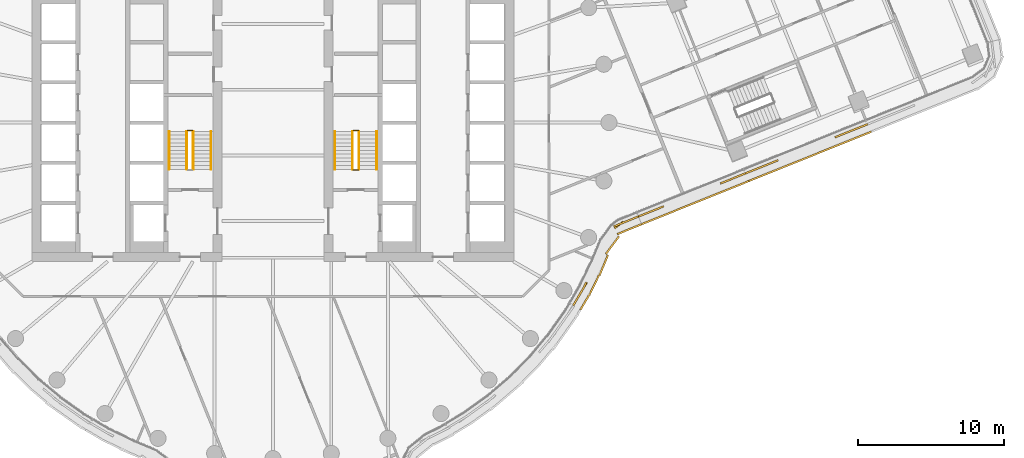
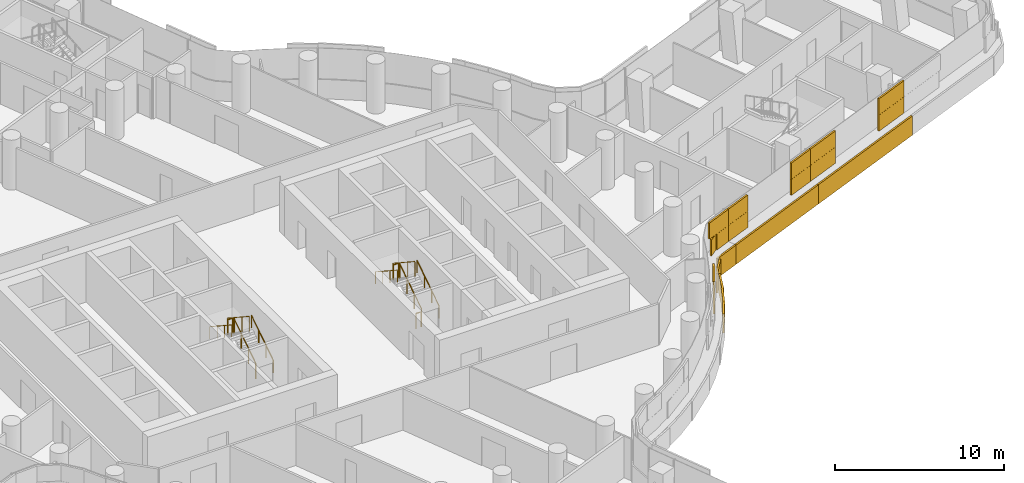
# One storey, part 29 of 32: 11 railings, 3 coverings.
"""IFC4 building model written with IfcOpenShell, lengths in metres."""

from ifc_helpers import new_model, si_unit, direction, frame, origin, origin_2d, place, context, subcontext, project, spatial, rectangle, circle, extrude, material, layer, layer_set, type_object, element, save


model = new_model("IFC4")

# Units and contexts
model_context = context("Model", 3, precision=1e-05, world=origin(), true_north=direction((0.0, 1.0)))
body_context = subcontext(model_context, "Body", "Model", "MODEL_VIEW")
ifc_project = project(units=[si_unit("LENGTHUNIT", "METRE"), si_unit("AREAUNIT", "SQUARE_METRE"), si_unit("VOLUMEUNIT", "CUBIC_METRE"), si_unit("PLANEANGLEUNIT", "RADIAN"), si_unit("MASSUNIT", "GRAM", prefix="KILO")], contexts=[model_context])

# Site, building, storey
site_placement = place(None, origin())
site = spatial("IfcSite", under=ifc_project, at=site_placement, CompositionType="ELEMENT")
building_placement = place(site_placement, origin())
building = spatial("IfcBuilding", under=site, at=building_placement, Name="Tamarind Cross Interchange Tower", CompositionType="ELEMENT")
storey_placement = place(building_placement, frame((0.0, 0.0, 113.5)))
storey = spatial("IfcBuildingStorey", under=building, at=storey_placement, Name="L27", CompositionType="ELEMENT", Elevation=113.5)

# Railings
ifc_material_1 = material(Name="Stair guard")
railing_type_1 = type_object("IfcRailingType", Name="Stair guard", PredefinedType="GUARDRAIL", material=ifc_material_1)
railing_1_placement = place(storey_placement, frame((-5.449951171875, -3.199951171875, 0.17041015625)))
element("IfcRailing", 1, at=railing_1_placement, inside=storey, type_object=railing_type_1, Name="L27 ST1 stair guard 1", PredefinedType="GUARDRAIL", context=body_context, shape_type="SweptSolid", body=[
    extrude(circle(Radius=0.02392578125, at=origin_2d()), frame((0.0, 0.0, 1.076171875), z_axis=(0.0, 0.836278606002, 0.548304744775), x_axis=(-1.0, 0.0, 0.0)), (0.0, 0.0, 1.0), 3.10888671875),
    extrude(circle(Radius=0.02099609375, at=origin_2d()), origin(), (0.0, 0.0, 1.0), 1.052001953125),
    extrude(circle(Radius=0.02099609375, at=origin_2d()), frame((0.0, 0.86669921875, 0.568115234375)), (0.0, 0.0, 1.0), 1.052001953125),
    extrude(circle(Radius=0.02099609375, at=origin_2d()), frame((0.0, 1.733154296875, 1.136474609375)), (0.0, 0.0, 1.0), 1.052001953125),
    extrude(circle(Radius=0.02099609375, at=origin_2d()), frame((0.0, 2.599853515625, 1.70458984375)), (0.0, 0.0, 1.0), 1.052001953125),
])
railing_2_placement = place(storey_placement, frame((-5.5, -0.550048828125, 1.875)))
element("IfcRailing", 2, at=railing_2_placement, inside=storey, type_object=railing_type_1, Name="L27 ST1 stair guard 2", PredefinedType="GUARDRAIL", context=body_context, shape_type="SweptSolid", body=[
    extrude(circle(Radius=0.02392578125, at=origin_2d()), frame((0.0, 0.0, 1.076171875), z_axis=(-1.0, 0.0, 0.0), x_axis=(0.0, -1.0, 0.0)), (0.0, 0.0, 1.0), 0.35009765625),
    extrude(circle(Radius=0.02099609375, at=origin_2d()), origin(), (0.0, 0.0, 1.0), 1.052001953125),
    extrude(circle(Radius=0.02099609375, at=origin_2d()), frame((-0.35009765625, 0.0, 0.0)), (0.0, 0.0, 1.0), 1.052001953125),
])
railing_3_placement = place(storey_placement, frame((-5.89990234375, -0.60009765625, 2.04541015625)))
element("IfcRailing", 3, at=railing_3_placement, inside=storey, type_object=railing_type_1, Name="L27 ST1 stair guard 3", PredefinedType="GUARDRAIL", context=body_context, shape_type="SweptSolid", body=[
    extrude(circle(Radius=0.02392578125, at=origin_2d()), frame((0.0, 0.0, 1.076171875), z_axis=(0.0, -0.836278606002, 0.548304744775), x_axis=(1.0, 0.0, 0.0)), (0.0, 0.0, 1.0), 3.10888671875),
    extrude(circle(Radius=0.02099609375, at=origin_2d()), origin(), (0.0, 0.0, 1.0), 1.052001953125),
    extrude(circle(Radius=0.02099609375, at=origin_2d()), frame((0.0, -0.86669921875, 0.568115234375)), (0.0, 0.0, 1.0), 1.052001953125),
    extrude(circle(Radius=0.02099609375, at=origin_2d()), frame((0.0, -1.733154296875, 1.136474609375)), (0.0, 0.0, 1.0), 1.052001953125),
    extrude(circle(Radius=0.02099609375, at=origin_2d()), frame((0.0, -2.599853515625, 1.70458984375)), (0.0, 0.0, 1.0), 1.052001953125),
])
railing_4_placement = place(storey_placement, frame((5.89990234375, -3.199951171875, 0.17041015625)))
element("IfcRailing", 4, at=railing_4_placement, inside=storey, type_object=railing_type_1, Name="L27 ST2 stair guard 1", PredefinedType="GUARDRAIL", context=body_context, shape_type="SweptSolid", body=[
    extrude(circle(Radius=0.02392578125, at=origin_2d()), frame((0.0, 0.0, 1.076171875), z_axis=(0.0, 0.836278606002, 0.548304744775), x_axis=(-1.0, 0.0, 0.0)), (0.0, 0.0, 1.0), 3.10888671875),
    extrude(circle(Radius=0.02099609375, at=origin_2d()), origin(), (0.0, 0.0, 1.0), 1.052001953125),
    extrude(circle(Radius=0.02099609375, at=origin_2d()), frame((0.0, 0.86669921875, 0.568115234375)), (0.0, 0.0, 1.0), 1.052001953125),
    extrude(circle(Radius=0.02099609375, at=origin_2d()), frame((0.0, 1.733154296875, 1.136474609375)), (0.0, 0.0, 1.0), 1.052001953125),
    extrude(circle(Radius=0.02099609375, at=origin_2d()), frame((0.0, 2.599853515625, 1.70458984375)), (0.0, 0.0, 1.0), 1.052001953125),
])
railing_5_placement = place(storey_placement, frame((5.85009765625, -0.550048828125, 1.875)))
element("IfcRailing", 5, at=railing_5_placement, inside=storey, type_object=railing_type_1, Name="L27 ST2 stair guard 2", PredefinedType="GUARDRAIL", context=body_context, shape_type="SweptSolid", body=[
    extrude(circle(Radius=0.02392578125, at=origin_2d()), frame((0.0, 0.0, 1.076171875), z_axis=(-1.0, 0.0, 0.0), x_axis=(0.0, -1.0, 0.0)), (0.0, 0.0, 1.0), 0.35009765625),
    extrude(circle(Radius=0.02099609375, at=origin_2d()), origin(), (0.0, 0.0, 1.0), 1.052001953125),
    extrude(circle(Radius=0.02099609375, at=origin_2d()), frame((-0.35009765625, 0.0, 0.0)), (0.0, 0.0, 1.0), 1.052001953125),
])
railing_6_placement = place(storey_placement, frame((5.449951171875, -0.60009765625, 2.04541015625)))
element("IfcRailing", 6, at=railing_6_placement, inside=storey, type_object=railing_type_1, Name="L27 ST2 stair guard 3", PredefinedType="GUARDRAIL", context=body_context, shape_type="SweptSolid", body=[
    extrude(circle(Radius=0.02392578125, at=origin_2d()), frame((0.0, 0.0, 1.076171875), z_axis=(0.0, -0.836278606002, 0.548304744775), x_axis=(1.0, 0.0, 0.0)), (0.0, 0.0, 1.0), 3.10888671875),
    extrude(circle(Radius=0.02099609375, at=origin_2d()), origin(), (0.0, 0.0, 1.0), 1.052001953125),
    extrude(circle(Radius=0.02099609375, at=origin_2d()), frame((0.0, -0.86669921875, 0.568115234375)), (0.0, 0.0, 1.0), 1.052001953125),
    extrude(circle(Radius=0.02099609375, at=origin_2d()), frame((0.0, -1.733154296875, 1.136474609375)), (0.0, 0.0, 1.0), 1.052001953125),
    extrude(circle(Radius=0.02099609375, at=origin_2d()), frame((0.0, -2.599853515625, 1.70458984375)), (0.0, 0.0, 1.0), 1.052001953125),
])
railing_7_placement = place(storey_placement, frame((5.85009765625, -3.25, 0.0)))
element("IfcRailing", 7, at=railing_7_placement, inside=storey, type_object=railing_type_1, Name="L27 ST2 stair guard 4", PredefinedType="GUARDRAIL", context=body_context, shape_type="SweptSolid", body=[
    extrude(circle(Radius=0.02392578125, at=origin_2d()), frame((0.0, 0.0, 1.076171875), z_axis=(-1.0, 0.0, 0.0), x_axis=(0.0, -1.0, 0.0)), (0.0, 0.0, 1.0), 0.35009765625),
    extrude(circle(Radius=0.02099609375, at=origin_2d()), origin(), (0.0, 0.0, 1.0), 1.052001953125),
    extrude(circle(Radius=0.02099609375, at=origin_2d()), frame((-0.35009765625, 0.0, 0.0)), (0.0, 0.0, 1.0), 1.052001953125),
])
ifc_material_2 = material(Name="Stair handrail")
railing_type_2 = type_object("IfcRailingType", Name="Stair handrail", PredefinedType="HANDRAIL", material=ifc_material_2)
railing_8_placement = place(storey_placement, frame((-4.25, -3.199951171875, 0.17041015625)))
element("IfcRailing", 8, at=railing_8_placement, inside=storey, type_object=railing_type_2, Name="L27 ST1 stair handrail 1", PredefinedType="HANDRAIL", context=body_context, shape_type="SweptSolid", body=[
    extrude(circle(Radius=0.02392578125, at=origin_2d()), frame((0.0, 0.0, 0.8759765625), z_axis=(0.0, 0.836278606002, 0.548304744775), x_axis=(-1.0, 0.0, 0.0)), (0.0, 0.0, 1.0), 3.10888671875),
    extrude(circle(Radius=0.02099609375, at=origin_2d()), origin(), (0.0, 0.0, 1.0), 0.851806640625),
    extrude(circle(Radius=0.02099609375, at=origin_2d()), frame((0.0, 0.86669921875, 0.568115234375)), (0.0, 0.0, 1.0), 0.851806640625),
    extrude(circle(Radius=0.02099609375, at=origin_2d()), frame((0.0, 1.733154296875, 1.136474609375)), (0.0, 0.0, 1.0), 0.851806640625),
    extrude(circle(Radius=0.02099609375, at=origin_2d()), frame((0.0, 2.599853515625, 1.70458984375)), (0.0, 0.0, 1.0), 0.851806640625),
])
railing_9_placement = place(storey_placement, frame((-7.10009765625, -0.60009765625, 2.04541015625)))
element("IfcRailing", 9, at=railing_9_placement, inside=storey, type_object=railing_type_2, Name="L27 ST1 stair handrail 2", PredefinedType="HANDRAIL", context=body_context, shape_type="SweptSolid", body=[
    extrude(circle(Radius=0.02392578125, at=origin_2d()), frame((0.0, 0.0, 0.8759765625), z_axis=(0.0, -0.836278606002, 0.548304744775), x_axis=(1.0, 0.0, 0.0)), (0.0, 0.0, 1.0), 3.10888671875),
    extrude(circle(Radius=0.02099609375, at=origin_2d()), origin(), (0.0, 0.0, 1.0), 0.851806640625),
    extrude(circle(Radius=0.02099609375, at=origin_2d()), frame((0.0, -0.86669921875, 0.568115234375)), (0.0, 0.0, 1.0), 0.851806640625),
    extrude(circle(Radius=0.02099609375, at=origin_2d()), frame((0.0, -1.733154296875, 1.136474609375)), (0.0, 0.0, 1.0), 0.851806640625),
    extrude(circle(Radius=0.02099609375, at=origin_2d()), frame((0.0, -2.599853515625, 1.70458984375)), (0.0, 0.0, 1.0), 0.851806640625),
])
railing_10_placement = place(storey_placement, frame((7.10009765625, -3.199951171875, 0.17041015625)))
element("IfcRailing", 10, at=railing_10_placement, inside=storey, type_object=railing_type_2, Name="L27 ST2 stair handrail 1", PredefinedType="HANDRAIL", context=body_context, shape_type="SweptSolid", body=[
    extrude(circle(Radius=0.02392578125, at=origin_2d()), frame((0.0, 0.0, 0.8759765625), z_axis=(0.0, 0.836278606002, 0.548304744775), x_axis=(-1.0, 0.0, 0.0)), (0.0, 0.0, 1.0), 3.10888671875),
    extrude(circle(Radius=0.02099609375, at=origin_2d()), origin(), (0.0, 0.0, 1.0), 0.851806640625),
    extrude(circle(Radius=0.02099609375, at=origin_2d()), frame((0.0, 0.86669921875, 0.568115234375)), (0.0, 0.0, 1.0), 0.851806640625),
    extrude(circle(Radius=0.02099609375, at=origin_2d()), frame((0.0, 1.733154296875, 1.136474609375)), (0.0, 0.0, 1.0), 0.851806640625),
    extrude(circle(Radius=0.02099609375, at=origin_2d()), frame((0.0, 2.599853515625, 1.70458984375)), (0.0, 0.0, 1.0), 0.851806640625),
])
railing_11_placement = place(storey_placement, frame((4.25, -0.60009765625, 2.04541015625)))
element("IfcRailing", 11, at=railing_11_placement, inside=storey, type_object=railing_type_2, Name="L27 ST2 stair handrail 2", PredefinedType="HANDRAIL", context=body_context, shape_type="SweptSolid", body=[
    extrude(circle(Radius=0.02392578125, at=origin_2d()), frame((0.0, 0.0, 0.8759765625), z_axis=(0.0, -0.836278606002, 0.548304744775), x_axis=(1.0, 0.0, 0.0)), (0.0, 0.0, 1.0), 3.10888671875),
    extrude(circle(Radius=0.02099609375, at=origin_2d()), origin(), (0.0, 0.0, 1.0), 0.851806640625),
    extrude(circle(Radius=0.02099609375, at=origin_2d()), frame((0.0, -0.86669921875, 0.568115234375)), (0.0, 0.0, 1.0), 0.851806640625),
    extrude(circle(Radius=0.02099609375, at=origin_2d()), frame((0.0, -1.733154296875, 1.136474609375)), (0.0, 0.0, 1.0), 0.851806640625),
    extrude(circle(Radius=0.02099609375, at=origin_2d()), frame((0.0, -2.599853515625, 1.70458984375)), (0.0, 0.0, 1.0), 0.851806640625),
])

# Coverings
ifc_material_3 = material(Name="Terracotta", Category="masonry")
ifc_layer = layer(ifc_material_3, 0.1201171875)
ifc_layer_set = layer_set([ifc_layer], Name="Terracotta")
covering_type = type_object("IfcCoveringType", Name="Terracotta baguette screen unit", PredefinedType="MOLDING", material=ifc_layer_set)
covering_1_placement = place(storey_placement, origin())
element("IfcCovering", 12, at=covering_1_placement, inside=storey, type_object=covering_type, Name="SCR-L27-06-01", PredefinedType="MOLDING", context=body_context, shape_type="SweptSolid", body=[
    extrude(rectangle(XDim=0.75146484375, YDim=0.1201171875, at=origin_2d()), frame((20.745361328125, -12.197265625, 1.404052734375), z_axis=(0.0, 0.0, 1.0), x_axis=(0.508183308752, 0.861248933065, 0.0)), (0.0, 0.0, 1.0), 1.1669921875),
    extrude(rectangle(XDim=1.095703125, YDim=0.1201171875, at=origin_2d()), frame((21.209716796875, -11.410400390625, 1.404052734375), z_axis=(0.0, 0.0, 1.0), x_axis=(0.508183308752, 0.861248933065, 0.0)), (0.0, 0.0, 1.0), 1.1669921875),
    extrude(rectangle(XDim=0.72412109375, YDim=0.1201171875, at=origin_2d()), frame((23.678955078125, -7.0087890625, 1.404052734375), z_axis=(0.0, 0.0, 1.0), x_axis=(0.790021221681, 0.613079496716, 0.0)), (0.0, 0.0, 1.0), 1.1669921875),
    extrude(rectangle(XDim=1.123046875, YDim=0.1201171875, at=origin_2d()), frame((24.508056640625, -6.635009765625, 1.404052734375), z_axis=(0.0, 0.0, 1.0), x_axis=(0.926429596156, 0.376468064205, 0.0)), (0.0, 0.0, 1.0), 1.1669921875),
    extrude(rectangle(XDim=1.50146484375, YDim=0.1201171875, at=origin_2d()), frame((20.93603515625, -11.874267578125, 2.5791015625), z_axis=(0.0, 0.0, 1.0), x_axis=(0.508183308752, 0.861248933065, 0.0)), (0.0, 0.0, 1.0), 1.1669921875),
    extrude(rectangle(XDim=0.345703125, YDim=0.1201171875, at=origin_2d()), frame((21.376220703125, -11.074462890625, 2.5791015625), z_axis=(0.0, 0.0, 1.0), x_axis=(0.435326231914, 0.900272776334, 0.0)), (0.0, 0.0, 1.0), 1.1669921875),
    extrude(rectangle(XDim=1.47412109375, YDim=0.1201171875, at=origin_2d()), frame((24.00927734375, -6.837890625, 2.5791015625), z_axis=(0.0, 0.0, 1.0), x_axis=(0.926429596156, 0.376468064205, 0.0)), (0.0, 0.0, 1.0), 1.1669921875),
    extrude(rectangle(XDim=0.373046875, YDim=0.1201171875, at=origin_2d()), frame((24.85546875, -6.493896484375, 2.5791015625), z_axis=(0.0, 0.0, 1.0), x_axis=(0.926429596156, 0.376468064205, 0.0)), (0.0, 0.0, 1.0), 1.1669921875),
    extrude(rectangle(XDim=1.202880859375, YDim=0.1201171875, at=origin_2d()), frame((21.35302734375, -12.297119140625, 0.00390625), z_axis=(0.0, 0.0, 1.0), x_axis=(0.508183308752, 0.861248933065, 0.0)), (0.0, 0.0, 1.0), 1.39208984375),
    extrude(rectangle(XDim=1.52001953125, YDim=0.1201171875, at=origin_2d()), frame((21.9921875, -11.119140625, 0.00390625), z_axis=(0.0, 0.0, 1.0), x_axis=(0.435326231914, 0.900272776334, 0.0)), (0.0, 0.0, 1.0), 1.39208984375),
    extrude(rectangle(XDim=1.52001953125, YDim=0.1201171875, at=origin_2d()), frame((22.642578125, -9.767578125, 0.00390625), z_axis=(0.0, 0.0, 1.0), x_axis=(0.385196464244, 0.92283459186, 0.0)), (0.0, 0.0, 1.0), 1.39208984375),
    extrude(rectangle(XDim=1.52001953125, YDim=0.1201171875, at=origin_2d()), frame((23.23779296875, -8.393310546875, 0.00390625), z_axis=(0.0, 0.0, 1.0), x_axis=(0.59834756437, 0.801236664296, 0.0)), (0.0, 0.0, 1.0), 1.39208984375),
    extrude(rectangle(XDim=1.52001953125, YDim=0.1201171875, at=origin_2d()), frame((24.273681640625, -7.349853515625, 0.00390625), z_axis=(0.0, 0.0, 1.0), x_axis=(0.926429596156, 0.376468064205, 0.0)), (0.0, 0.0, 1.0), 1.39208984375),
    extrude(rectangle(XDim=0.302001953125, YDim=0.1201171875, at=origin_2d()), frame((25.09912109375, -7.0146484375, 0.00390625), z_axis=(0.0, 0.0, 1.0), x_axis=(0.926429596156, 0.376468064205, 0.0)), (0.0, 0.0, 1.0), 1.39208984375),
])
covering_2_placement = place(storey_placement, origin())
element("IfcCovering", 13, at=covering_2_placement, inside=storey, type_object=covering_type, Name="SCR-L27-07-00", PredefinedType="MOLDING", context=body_context, shape_type="SweptSolid", body=[
    extrude(rectangle(XDim=0.760009765625, YDim=0.1201171875, at=origin_2d()), frame((25.37158203125, -6.285400390625, 1.404052734375), z_axis=(0.0, 0.0, 1.0), x_axis=(0.927570416192, 0.373648394893, 0.0)), (0.0, 0.0, 1.0), 1.1669921875),
    extrude(rectangle(XDim=1.110107421875, YDim=0.1201171875, at=origin_2d()), frame((26.2294921875, -5.93994140625, 1.404052734375), z_axis=(0.0, 0.0, 1.0), x_axis=(0.927570416192, 0.373648394893, 0.0)), (0.0, 0.0, 1.0), 1.1669921875),
    extrude(rectangle(XDim=0.7099609375, YDim=0.1201171875, at=origin_2d()), frame((30.960205078125, -4.0341796875, 1.404052734375), z_axis=(0.0, 0.0, 1.0), x_axis=(0.927570416192, 0.373648394893, 0.0)), (0.0, 0.0, 1.0), 1.1669921875),
    extrude(rectangle(XDim=1.159912109375, YDim=0.1201171875, at=origin_2d()), frame((31.818115234375, -3.688720703125, 1.404052734375), z_axis=(0.0, 0.0, 1.0), x_axis=(0.927570416192, 0.373648394893, 0.0)), (0.0, 0.0, 1.0), 1.1669921875),
    extrude(rectangle(XDim=1.510009765625, YDim=0.1201171875, at=origin_2d()), frame((25.719482421875, -6.145263671875, 2.5791015625), z_axis=(0.0, 0.0, 1.0), x_axis=(0.927570416192, 0.373648394893, 0.0)), (0.0, 0.0, 1.0), 1.1669921875),
    extrude(rectangle(XDim=0.360107421875, YDim=0.1201171875, at=origin_2d()), frame((26.577392578125, -5.7998046875, 2.5791015625), z_axis=(0.0, 0.0, 1.0), x_axis=(0.927570416192, 0.373648394893, 0.0)), (0.0, 0.0, 1.0), 1.1669921875),
    extrude(rectangle(XDim=1.4599609375, YDim=0.1201171875, at=origin_2d()), frame((31.30810546875, -3.89404296875, 2.5791015625), z_axis=(0.0, 0.0, 1.0), x_axis=(0.927570416192, 0.373648394893, 0.0)), (0.0, 0.0, 1.0), 1.1669921875),
    extrude(rectangle(XDim=0.409912109375, YDim=0.1201171875, at=origin_2d()), frame((32.166015625, -3.548583984375, 2.5791015625), z_axis=(0.0, 0.0, 1.0), x_axis=(0.927570416192, 0.373648394893, 0.0)), (0.0, 0.0, 1.0), 1.1669921875),
    extrude(rectangle(XDim=0.760009765625, YDim=0.1201171875, at=origin_2d()), frame((25.591552734375, -6.815673828125, 0.00390625), z_axis=(0.0, 0.0, 1.0), x_axis=(0.927570416192, 0.373648394893, 0.0)), (0.0, 0.0, 1.0), 1.39208984375),
    extrude(rectangle(XDim=1.52001953125, YDim=0.1201171875, at=origin_2d()), frame((26.63037109375, -6.397216796875, 0.00390625), z_axis=(0.0, 0.0, 1.0), x_axis=(0.927570416192, 0.373648394893, 0.0)), (0.0, 0.0, 1.0), 1.39208984375),
    extrude(rectangle(XDim=1.52001953125, YDim=0.1201171875, at=origin_2d()), frame((28.021728515625, -5.836669921875, 0.00390625), z_axis=(0.0, 0.0, 1.0), x_axis=(0.927570416192, 0.373648394893, 0.0)), (0.0, 0.0, 1.0), 1.39208984375),
    extrude(rectangle(XDim=1.52001953125, YDim=0.1201171875, at=origin_2d()), frame((29.4130859375, -5.2763671875, 0.00390625), z_axis=(0.0, 0.0, 1.0), x_axis=(0.927570416192, 0.373648394893, 0.0)), (0.0, 0.0, 1.0), 1.39208984375),
    extrude(rectangle(XDim=1.52001953125, YDim=0.1201171875, at=origin_2d()), frame((30.804443359375, -4.7158203125, 0.00390625), z_axis=(0.0, 0.0, 1.0), x_axis=(0.927570416192, 0.373648394893, 0.0)), (0.0, 0.0, 1.0), 1.39208984375),
    extrude(rectangle(XDim=1.183837890625, YDim=0.1201171875, at=origin_2d()), frame((32.039794921875, -4.218017578125, 0.00390625), z_axis=(0.0, 0.0, 1.0), x_axis=(0.927570416192, 0.373648394893, 0.0)), (0.0, 0.0, 1.0), 1.39208984375),
])
covering_3_placement = place(storey_placement, origin())
element("IfcCovering", 14, at=covering_3_placement, inside=storey, type_object=covering_type, Name="SCR-L27-07-01", PredefinedType="MOLDING", context=body_context, shape_type="SweptSolid", body=[
    extrude(rectangle(XDim=0.35986328125, YDim=0.1201171875, at=origin_2d()), frame((32.513916015625, -3.408447265625, 1.404052734375), z_axis=(0.0, 0.0, 1.0), x_axis=(0.927570416192, 0.373648394893, 0.0)), (0.0, 0.0, 1.0), 1.1669921875),
    extrude(rectangle(XDim=1.52001953125, YDim=0.1201171875, at=origin_2d()), frame((33.371826171875, -3.062744140625, 1.404052734375), z_axis=(0.0, 0.0, 1.0), x_axis=(0.927570416192, 0.373648394893, 0.0)), (0.0, 0.0, 1.0), 1.1669921875),
    extrude(rectangle(XDim=0.562255859375, YDim=0.1201171875, at=origin_2d()), frame((34.32373046875, -2.679443359375, 1.404052734375), z_axis=(0.0, 0.0, 1.0), x_axis=(0.927570416192, 0.373648394893, 0.0)), (0.0, 0.0, 1.0), 1.1669921875),
    extrude(rectangle(XDim=1.2578125, YDim=0.1201171875, at=origin_2d()), frame((39.05419921875, -0.773681640625, 1.404052734375), z_axis=(0.0, 0.0, 1.0), x_axis=(0.927570416192, 0.373648394893, 0.0)), (0.0, 0.0, 1.0), 1.1669921875),
    extrude(rectangle(XDim=1.164306640625, YDim=0.1201171875, at=origin_2d()), frame((40.168212890625, -0.324951171875, 1.404052734375), z_axis=(0.0, 0.0, 1.0), x_axis=(0.927570416192, 0.373648394893, 0.0)), (0.0, 0.0, 1.0), 1.1669921875),
    extrude(rectangle(XDim=1.10986328125, YDim=0.1201171875, at=origin_2d()), frame((32.86181640625, -3.268310546875, 2.5791015625), z_axis=(0.0, 0.0, 1.0), x_axis=(0.927570416192, 0.373648394893, 0.0)), (0.0, 0.0, 1.0), 1.1669921875),
    extrude(rectangle(XDim=1.312255859375, YDim=0.1201171875, at=origin_2d()), frame((33.975830078125, -2.819580078125, 2.5791015625), z_axis=(0.0, 0.0, 1.0), x_axis=(0.927570416192, 0.373648394893, 0.0)), (0.0, 0.0, 1.0), 1.1669921875),
    extrude(rectangle(XDim=0.5078125, YDim=0.1201171875, at=origin_2d()), frame((38.706298828125, -0.913818359375, 2.5791015625), z_axis=(0.0, 0.0, 1.0), x_axis=(0.927570416192, 0.373648394893, 0.0)), (0.0, 0.0, 1.0), 1.1669921875),
    extrude(rectangle(XDim=1.52001953125, YDim=0.1201171875, at=origin_2d()), frame((39.633056640625, -0.54052734375, 2.5791015625), z_axis=(0.0, 0.0, 1.0), x_axis=(0.927570416192, 0.373648394893, 0.0)), (0.0, 0.0, 1.0), 1.1669921875),
    extrude(rectangle(XDim=0.414306640625, YDim=0.1201171875, at=origin_2d()), frame((40.51611328125, -0.184814453125, 2.5791015625), z_axis=(0.0, 0.0, 1.0), x_axis=(0.927570416192, 0.373648394893, 0.0)), (0.0, 0.0, 1.0), 1.1669921875),
    extrude(rectangle(XDim=0.336181640625, YDim=0.1201171875, at=origin_2d()), frame((32.744873046875, -3.93408203125, 0.00390625), z_axis=(0.0, 0.0, 1.0), x_axis=(0.927570416192, 0.373648394893, 0.0)), (0.0, 0.0, 1.0), 1.39208984375),
    extrude(rectangle(XDim=1.52001953125, YDim=0.1201171875, at=origin_2d()), frame((33.587158203125, -3.594970703125, 0.00390625), z_axis=(0.0, 0.0, 1.0), x_axis=(0.927570416192, 0.373648394893, 0.0)), (0.0, 0.0, 1.0), 1.39208984375),
    extrude(rectangle(XDim=1.52001953125, YDim=0.1201171875, at=origin_2d()), frame((34.978515625, -3.034423828125, 0.00390625), z_axis=(0.0, 0.0, 1.0), x_axis=(0.927570416192, 0.373648394893, 0.0)), (0.0, 0.0, 1.0), 1.39208984375),
    extrude(rectangle(XDim=1.52001953125, YDim=0.1201171875, at=origin_2d()), frame((36.369873046875, -2.473876953125, 0.00390625), z_axis=(0.0, 0.0, 1.0), x_axis=(0.927570416192, 0.373648394893, 0.0)), (0.0, 0.0, 1.0), 1.39208984375),
    extrude(rectangle(XDim=1.52001953125, YDim=0.1201171875, at=origin_2d()), frame((37.76123046875, -1.913330078125, 0.00390625), z_axis=(0.0, 0.0, 1.0), x_axis=(0.927570416192, 0.373648394893, 0.0)), (0.0, 0.0, 1.0), 1.39208984375),
    extrude(rectangle(XDim=1.52001953125, YDim=0.1201171875, at=origin_2d()), frame((39.152587890625, -1.35302734375, 0.00390625), z_axis=(0.0, 0.0, 1.0), x_axis=(0.927570416192, 0.373648394893, 0.0)), (0.0, 0.0, 1.0), 1.39208984375),
    extrude(rectangle(XDim=1.215087890625, YDim=0.1201171875, at=origin_2d()), frame((40.402587890625, -0.849365234375, 0.00390625), z_axis=(0.0, 0.0, 1.0), x_axis=(0.927570416192, 0.373648394893, 0.0)), (0.0, 0.0, 1.0), 1.39208984375),
])

save(model, "model.ifc")
